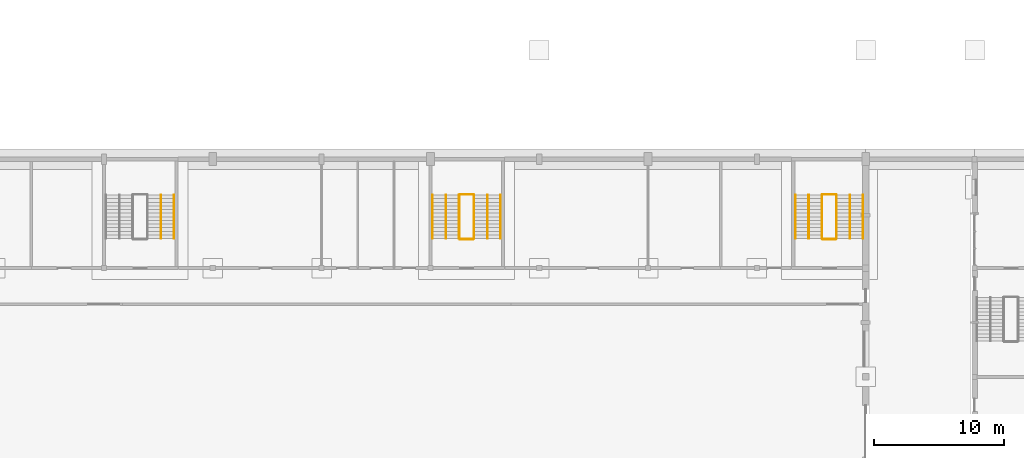
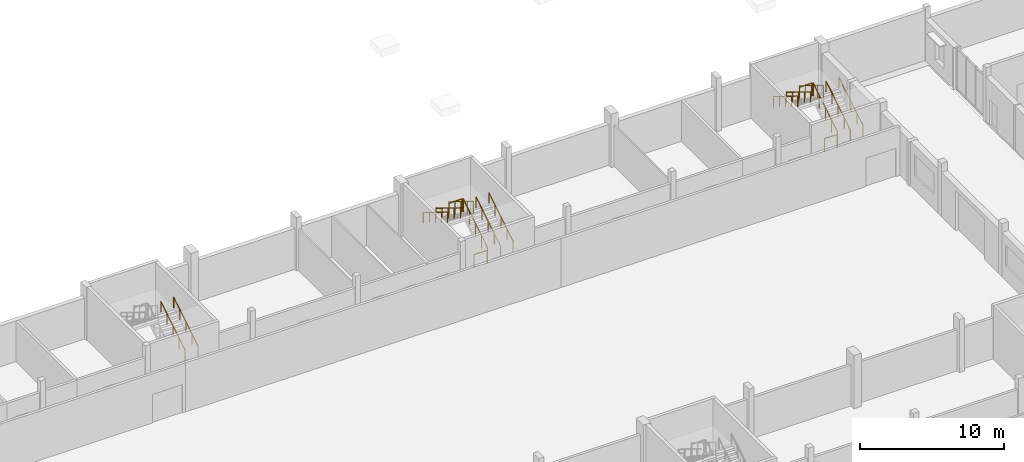
# One storey, part 34 of 36: 18 railings.
"""IFC4 building model written with IfcOpenShell, lengths in metres."""

from ifc_helpers import new_model, si_unit, direction, frame, origin, origin_2d, place, context, subcontext, project, spatial, circle, extrude, material, type_object, element, save


model = new_model("IFC4")

# Units and contexts
model_context = context("Model", 3, precision=1e-05, world=origin(), true_north=direction((0.0, 1.0)))
body_context = subcontext(model_context, "Body", "Model", "MODEL_VIEW")
ifc_project = project(units=[si_unit("LENGTHUNIT", "METRE"), si_unit("AREAUNIT", "SQUARE_METRE"), si_unit("VOLUMEUNIT", "CUBIC_METRE"), si_unit("PLANEANGLEUNIT", "RADIAN"), si_unit("MASSUNIT", "GRAM", prefix="KILO")], contexts=[model_context])

# Site, building, storey
site_placement = place(None, origin())
site = spatial("IfcSite", under=ifc_project, at=site_placement, CompositionType="ELEMENT")
building_placement = place(site_placement, origin())
building = spatial("IfcBuilding", under=site, at=building_placement, Name="Fescue Hill Polytechnic", CompositionType="ELEMENT")
storey_placement = place(building_placement, origin())
storey = spatial("IfcBuildingStorey", under=building, at=storey_placement, Name="L00", CompositionType="ELEMENT", Elevation=0.0)

# Railings
ifc_material = material(Name="Steel 350W (350 MPa)", Category="steel")
railing_type_1 = type_object("IfcRailingType", Name="Stair guard steel 1100", PredefinedType="GUARDRAIL", material=ifc_material)
railing_1_placement = place(storey_placement, frame((87.375, 44.27490234375, 0.173095703125)))
element("IfcRailing", 1, at=railing_1_placement, inside=storey, type_object=railing_type_1, Name="L00 ST-V1-8 stair guard 1", PredefinedType="GUARDRAIL", context=body_context, shape_type="SweptSolid", body=[
    extrude(circle(Radius=0.02392578125, at=origin_2d()), frame((0.0, 0.0, 1.076171875), z_axis=(0.0, 0.850623216509, 0.525775754039), x_axis=(-1.0, 0.0, 0.0)), (0.0, 0.0, 1.0), 3.9501953125),
    extrude(circle(Radius=0.02099609375, at=origin_2d()), origin(), (0.0, 0.0, 1.0), 1.052001953125),
    extrude(circle(Radius=0.02099609375, at=origin_2d()), frame((0.0, 0.840087890625, 0.519287109375)), (0.0, 0.0, 1.0), 1.052001953125),
    extrude(circle(Radius=0.02099609375, at=origin_2d()), frame((0.0, 1.68017578125, 1.03857421875)), (0.0, 0.0, 1.0), 1.052001953125),
    extrude(circle(Radius=0.02099609375, at=origin_2d()), frame((0.0, 2.52001953125, 1.5576171875)), (0.0, 0.0, 1.0), 1.052001953125),
    extrude(circle(Radius=0.02099609375, at=origin_2d()), frame((0.0, 3.360107421875, 2.076904296875)), (0.0, 0.0, 1.0), 1.052001953125),
])
railing_2_placement = place(storey_placement, frame((87.324951171875, 47.68505859375, 2.25)))
element("IfcRailing", 2, at=railing_2_placement, inside=storey, type_object=railing_type_1, Name="L00 ST-V1-8 stair guard 2", PredefinedType="GUARDRAIL", context=body_context, shape_type="SweptSolid", body=[
    extrude(circle(Radius=0.02392578125, at=origin_2d()), frame((0.0, 0.0, 1.076171875), z_axis=(-1.0, 0.0, 0.0), x_axis=(0.0, -1.0, 0.0)), (0.0, 0.0, 1.0), 1.050048828125),
    extrude(circle(Radius=0.02099609375, at=origin_2d()), origin(), (0.0, 0.0, 1.0), 1.052001953125),
    extrude(circle(Radius=0.02099609375, at=origin_2d()), frame((-1.050048828125, 0.0, 0.0)), (0.0, 0.0, 1.0), 1.052001953125),
])
railing_3_placement = place(storey_placement, frame((86.22509765625, 47.635009765625, 2.423095703125)))
element("IfcRailing", 3, at=railing_3_placement, inside=storey, type_object=railing_type_1, Name="L00 ST-V1-8 stair guard 3", PredefinedType="GUARDRAIL", context=body_context, shape_type="SweptSolid", body=[
    extrude(circle(Radius=0.02392578125, at=origin_2d()), frame((0.0, 0.0, 1.076171875), z_axis=(0.0, -0.850623216509, 0.525775754039), x_axis=(1.0, 0.0, 0.0)), (0.0, 0.0, 1.0), 3.9501953125),
    extrude(circle(Radius=0.02099609375, at=origin_2d()), origin(), (0.0, 0.0, 1.0), 1.052001953125),
    extrude(circle(Radius=0.02099609375, at=origin_2d()), frame((0.0, -0.840087890625, 0.519287109375)), (0.0, 0.0, 1.0), 1.052001953125),
    extrude(circle(Radius=0.02099609375, at=origin_2d()), frame((0.0, -1.68017578125, 1.03857421875)), (0.0, 0.0, 1.0), 1.052001953125),
    extrude(circle(Radius=0.02099609375, at=origin_2d()), frame((0.0, -2.52001953125, 1.5576171875)), (0.0, 0.0, 1.0), 1.052001953125),
    extrude(circle(Radius=0.02099609375, at=origin_2d()), frame((0.0, -3.360107421875, 2.076904296875)), (0.0, 0.0, 1.0), 1.052001953125),
])
railing_4_placement = place(storey_placement, frame((87.324951171875, 44.22509765625, 0.0)))
element("IfcRailing", 4, at=railing_4_placement, inside=storey, type_object=railing_type_1, Name="L00 ST-V1-8 stair guard 4", PredefinedType="GUARDRAIL", context=body_context, shape_type="SweptSolid", body=[
    extrude(circle(Radius=0.02392578125, at=origin_2d()), frame((0.0, 0.0, 1.076171875), z_axis=(-1.0, 0.0, 0.0), x_axis=(0.0, -1.0, 0.0)), (0.0, 0.0, 1.0), 1.050048828125),
    extrude(circle(Radius=0.02099609375, at=origin_2d()), origin(), (0.0, 0.0, 1.0), 1.052001953125),
    extrude(circle(Radius=0.02099609375, at=origin_2d()), frame((-1.050048828125, 0.0, 0.0)), (0.0, 0.0, 1.0), 1.052001953125),
])
railing_5_placement = place(storey_placement, frame((115.35009765625, 44.27490234375, 0.173095703125)))
element("IfcRailing", 5, at=railing_5_placement, inside=storey, type_object=railing_type_1, Name="L00 ST-V1-9 stair guard 1", PredefinedType="GUARDRAIL", context=body_context, shape_type="SweptSolid", body=[
    extrude(circle(Radius=0.02392578125, at=origin_2d()), frame((0.0, 0.0, 1.076171875), z_axis=(0.0, 0.850623216509, 0.525775754039), x_axis=(-1.0, 0.0, 0.0)), (0.0, 0.0, 1.0), 3.9501953125),
    extrude(circle(Radius=0.02099609375, at=origin_2d()), origin(), (0.0, 0.0, 1.0), 1.052001953125),
    extrude(circle(Radius=0.02099609375, at=origin_2d()), frame((0.0, 0.840087890625, 0.519287109375)), (0.0, 0.0, 1.0), 1.052001953125),
    extrude(circle(Radius=0.02099609375, at=origin_2d()), frame((0.0, 1.68017578125, 1.03857421875)), (0.0, 0.0, 1.0), 1.052001953125),
    extrude(circle(Radius=0.02099609375, at=origin_2d()), frame((0.0, 2.52001953125, 1.5576171875)), (0.0, 0.0, 1.0), 1.052001953125),
    extrude(circle(Radius=0.02099609375, at=origin_2d()), frame((0.0, 3.360107421875, 2.076904296875)), (0.0, 0.0, 1.0), 1.052001953125),
])
railing_6_placement = place(storey_placement, frame((115.300048828125, 47.68505859375, 2.25)))
element("IfcRailing", 6, at=railing_6_placement, inside=storey, type_object=railing_type_1, Name="L00 ST-V1-9 stair guard 2", PredefinedType="GUARDRAIL", context=body_context, shape_type="SweptSolid", body=[
    extrude(circle(Radius=0.02392578125, at=origin_2d()), frame((0.0, 0.0, 1.076171875), z_axis=(-1.0, 0.0, 0.0), x_axis=(0.0, -1.0, 0.0)), (0.0, 0.0, 1.0), 1.025146484375),
    extrude(circle(Radius=0.02099609375, at=origin_2d()), origin(), (0.0, 0.0, 1.0), 1.052001953125),
    extrude(circle(Radius=0.02099609375, at=origin_2d()), frame((-1.025146484375, 0.0, 0.0)), (0.0, 0.0, 1.0), 1.052001953125),
])
railing_7_placement = place(storey_placement, frame((114.22509765625, 47.635009765625, 2.423095703125)))
element("IfcRailing", 7, at=railing_7_placement, inside=storey, type_object=railing_type_1, Name="L00 ST-V1-9 stair guard 3", PredefinedType="GUARDRAIL", context=body_context, shape_type="SweptSolid", body=[
    extrude(circle(Radius=0.02392578125, at=origin_2d()), frame((0.0, 0.0, 1.076171875), z_axis=(0.0, -0.850623216509, 0.525775754039), x_axis=(1.0, 0.0, 0.0)), (0.0, 0.0, 1.0), 3.9501953125),
    extrude(circle(Radius=0.02099609375, at=origin_2d()), origin(), (0.0, 0.0, 1.0), 1.052001953125),
    extrude(circle(Radius=0.02099609375, at=origin_2d()), frame((0.0, -0.840087890625, 0.519287109375)), (0.0, 0.0, 1.0), 1.052001953125),
    extrude(circle(Radius=0.02099609375, at=origin_2d()), frame((0.0, -1.68017578125, 1.03857421875)), (0.0, 0.0, 1.0), 1.052001953125),
    extrude(circle(Radius=0.02099609375, at=origin_2d()), frame((0.0, -2.52001953125, 1.5576171875)), (0.0, 0.0, 1.0), 1.052001953125),
    extrude(circle(Radius=0.02099609375, at=origin_2d()), frame((0.0, -3.360107421875, 2.076904296875)), (0.0, 0.0, 1.0), 1.052001953125),
])
railing_8_placement = place(storey_placement, frame((115.300048828125, 44.22509765625, 0.0)))
element("IfcRailing", 8, at=railing_8_placement, inside=storey, type_object=railing_type_1, Name="L00 ST-V1-9 stair guard 4", PredefinedType="GUARDRAIL", context=body_context, shape_type="SweptSolid", body=[
    extrude(circle(Radius=0.02392578125, at=origin_2d()), frame((0.0, 0.0, 1.076171875), z_axis=(-1.0, 0.0, 0.0), x_axis=(0.0, -1.0, 0.0)), (0.0, 0.0, 1.0), 1.025146484375),
    extrude(circle(Radius=0.02099609375, at=origin_2d()), origin(), (0.0, 0.0, 1.0), 1.052001953125),
    extrude(circle(Radius=0.02099609375, at=origin_2d()), frame((-1.025146484375, 0.0, 0.0)), (0.0, 0.0, 1.0), 1.052001953125),
])
railing_type_2 = type_object("IfcRailingType", Name="Stair handrail steel 900", PredefinedType="HANDRAIL", material=ifc_material)
for number, where, name in (
    (9, (64.22509765625, 44.27490234375, 0.173095703125), "L00 ST-V1-7 stair handrail 1"),
    (10, (63.199951171875, 44.27490234375, 0.173095703125), "L00 ST-V1-7 stair handrail 3"),
    (11, (89.425048828125, 44.27490234375, 0.173095703125), "L00 ST-V1-8 stair handrail 1"),
):
    element("IfcRailing", number, at=place(storey_placement, frame(where)), inside=storey, type_object=railing_type_2, Name=name, PredefinedType="HANDRAIL", context=body_context, shape_type="SweptSolid", body=[
        extrude(circle(Radius=0.02392578125, at=origin_2d()), frame((0.0, 0.0, 0.8759765625), z_axis=(0.0, 0.850623216509, 0.525775754039), x_axis=(-1.0, 0.0, 0.0)), (0.0, 0.0, 1.0), 3.9501953125),
        extrude(circle(Radius=0.02099609375, at=origin_2d()), origin(), (0.0, 0.0, 1.0), 0.851806640625),
        extrude(circle(Radius=0.02099609375, at=origin_2d()), frame((0.0, 0.840087890625, 0.519287109375)), (0.0, 0.0, 1.0), 0.851806640625),
        extrude(circle(Radius=0.02099609375, at=origin_2d()), frame((0.0, 1.68017578125, 1.03857421875)), (0.0, 0.0, 1.0), 0.851806640625),
        extrude(circle(Radius=0.02099609375, at=origin_2d()), frame((0.0, 2.52001953125, 1.5576171875)), (0.0, 0.0, 1.0), 0.851806640625),
        extrude(circle(Radius=0.02099609375, at=origin_2d()), frame((0.0, 3.360107421875, 2.076904296875)), (0.0, 0.0, 1.0), 0.851806640625),
    ])
railing_9_placement = place(storey_placement, frame((84.175048828125, 47.635009765625, 2.423095703125)))
element("IfcRailing", 12, at=railing_9_placement, inside=storey, type_object=railing_type_2, Name="L00 ST-V1-8 stair handrail 2", PredefinedType="HANDRAIL", context=body_context, shape_type="SweptSolid", body=[
    extrude(circle(Radius=0.02392578125, at=origin_2d()), frame((0.0, 0.0, 0.8759765625), z_axis=(0.0, -0.850623216509, 0.525775754039), x_axis=(1.0, 0.0, 0.0)), (0.0, 0.0, 1.0), 3.9501953125),
    extrude(circle(Radius=0.02099609375, at=origin_2d()), origin(), (0.0, 0.0, 1.0), 0.851806640625),
    extrude(circle(Radius=0.02099609375, at=origin_2d()), frame((0.0, -0.840087890625, 0.519287109375)), (0.0, 0.0, 1.0), 0.851806640625),
    extrude(circle(Radius=0.02099609375, at=origin_2d()), frame((0.0, -1.68017578125, 1.03857421875)), (0.0, 0.0, 1.0), 0.851806640625),
    extrude(circle(Radius=0.02099609375, at=origin_2d()), frame((0.0, -2.52001953125, 1.5576171875)), (0.0, 0.0, 1.0), 0.851806640625),
    extrude(circle(Radius=0.02099609375, at=origin_2d()), frame((0.0, -3.360107421875, 2.076904296875)), (0.0, 0.0, 1.0), 0.851806640625),
])
railing_10_placement = place(storey_placement, frame((88.39990234375, 44.27490234375, 0.173095703125)))
element("IfcRailing", 13, at=railing_10_placement, inside=storey, type_object=railing_type_2, Name="L00 ST-V1-8 stair handrail 3", PredefinedType="HANDRAIL", context=body_context, shape_type="SweptSolid", body=[
    extrude(circle(Radius=0.02392578125, at=origin_2d()), frame((0.0, 0.0, 0.8759765625), z_axis=(0.0, 0.850623216509, 0.525775754039), x_axis=(-1.0, 0.0, 0.0)), (0.0, 0.0, 1.0), 3.9501953125),
    extrude(circle(Radius=0.02099609375, at=origin_2d()), origin(), (0.0, 0.0, 1.0), 0.851806640625),
    extrude(circle(Radius=0.02099609375, at=origin_2d()), frame((0.0, 0.840087890625, 0.519287109375)), (0.0, 0.0, 1.0), 0.851806640625),
    extrude(circle(Radius=0.02099609375, at=origin_2d()), frame((0.0, 1.68017578125, 1.03857421875)), (0.0, 0.0, 1.0), 0.851806640625),
    extrude(circle(Radius=0.02099609375, at=origin_2d()), frame((0.0, 2.52001953125, 1.5576171875)), (0.0, 0.0, 1.0), 0.851806640625),
    extrude(circle(Radius=0.02099609375, at=origin_2d()), frame((0.0, 3.360107421875, 2.076904296875)), (0.0, 0.0, 1.0), 0.851806640625),
])
railing_11_placement = place(storey_placement, frame((85.199951171875, 47.635009765625, 2.423095703125)))
element("IfcRailing", 14, at=railing_11_placement, inside=storey, type_object=railing_type_2, Name="L00 ST-V1-8 stair handrail 4", PredefinedType="HANDRAIL", context=body_context, shape_type="SweptSolid", body=[
    extrude(circle(Radius=0.02392578125, at=origin_2d()), frame((0.0, 0.0, 0.8759765625), z_axis=(0.0, -0.850623216509, 0.525775754039), x_axis=(1.0, 0.0, 0.0)), (0.0, 0.0, 1.0), 3.9501953125),
    extrude(circle(Radius=0.02099609375, at=origin_2d()), origin(), (0.0, 0.0, 1.0), 0.851806640625),
    extrude(circle(Radius=0.02099609375, at=origin_2d()), frame((0.0, -0.840087890625, 0.519287109375)), (0.0, 0.0, 1.0), 0.851806640625),
    extrude(circle(Radius=0.02099609375, at=origin_2d()), frame((0.0, -1.68017578125, 1.03857421875)), (0.0, 0.0, 1.0), 0.851806640625),
    extrude(circle(Radius=0.02099609375, at=origin_2d()), frame((0.0, -2.52001953125, 1.5576171875)), (0.0, 0.0, 1.0), 0.851806640625),
    extrude(circle(Radius=0.02099609375, at=origin_2d()), frame((0.0, -3.360107421875, 2.076904296875)), (0.0, 0.0, 1.0), 0.851806640625),
])
railing_12_placement = place(storey_placement, frame((117.39990234375, 44.27490234375, 0.173095703125)))
element("IfcRailing", 15, at=railing_12_placement, inside=storey, type_object=railing_type_2, Name="L00 ST-V1-9 stair handrail 1", PredefinedType="HANDRAIL", context=body_context, shape_type="SweptSolid", body=[
    extrude(circle(Radius=0.02392578125, at=origin_2d()), frame((0.0, 0.0, 0.8759765625), z_axis=(0.0, 0.850623216509, 0.525775754039), x_axis=(-1.0, 0.0, 0.0)), (0.0, 0.0, 1.0), 3.9501953125),
    extrude(circle(Radius=0.02099609375, at=origin_2d()), origin(), (0.0, 0.0, 1.0), 0.851806640625),
    extrude(circle(Radius=0.02099609375, at=origin_2d()), frame((0.0, 0.840087890625, 0.519287109375)), (0.0, 0.0, 1.0), 0.851806640625),
    extrude(circle(Radius=0.02099609375, at=origin_2d()), frame((0.0, 1.68017578125, 1.03857421875)), (0.0, 0.0, 1.0), 0.851806640625),
    extrude(circle(Radius=0.02099609375, at=origin_2d()), frame((0.0, 2.52001953125, 1.5576171875)), (0.0, 0.0, 1.0), 0.851806640625),
    extrude(circle(Radius=0.02099609375, at=origin_2d()), frame((0.0, 3.360107421875, 2.076904296875)), (0.0, 0.0, 1.0), 0.851806640625),
])
railing_13_placement = place(storey_placement, frame((112.175048828125, 47.635009765625, 2.423095703125)))
element("IfcRailing", 16, at=railing_13_placement, inside=storey, type_object=railing_type_2, Name="L00 ST-V1-9 stair handrail 2", PredefinedType="HANDRAIL", context=body_context, shape_type="SweptSolid", body=[
    extrude(circle(Radius=0.02392578125, at=origin_2d()), frame((0.0, 0.0, 0.8759765625), z_axis=(0.0, -0.850623216509, 0.525775754039), x_axis=(1.0, 0.0, 0.0)), (0.0, 0.0, 1.0), 3.9501953125),
    extrude(circle(Radius=0.02099609375, at=origin_2d()), origin(), (0.0, 0.0, 1.0), 0.851806640625),
    extrude(circle(Radius=0.02099609375, at=origin_2d()), frame((0.0, -0.840087890625, 0.519287109375)), (0.0, 0.0, 1.0), 0.851806640625),
    extrude(circle(Radius=0.02099609375, at=origin_2d()), frame((0.0, -1.68017578125, 1.03857421875)), (0.0, 0.0, 1.0), 0.851806640625),
    extrude(circle(Radius=0.02099609375, at=origin_2d()), frame((0.0, -2.52001953125, 1.5576171875)), (0.0, 0.0, 1.0), 0.851806640625),
    extrude(circle(Radius=0.02099609375, at=origin_2d()), frame((0.0, -3.360107421875, 2.076904296875)), (0.0, 0.0, 1.0), 0.851806640625),
])
railing_14_placement = place(storey_placement, frame((116.375, 44.27490234375, 0.173095703125)))
element("IfcRailing", 17, at=railing_14_placement, inside=storey, type_object=railing_type_2, Name="L00 ST-V1-9 stair handrail 3", PredefinedType="HANDRAIL", context=body_context, shape_type="SweptSolid", body=[
    extrude(circle(Radius=0.02392578125, at=origin_2d()), frame((0.0, 0.0, 0.8759765625), z_axis=(0.0, 0.850623216509, 0.525775754039), x_axis=(-1.0, 0.0, 0.0)), (0.0, 0.0, 1.0), 3.9501953125),
    extrude(circle(Radius=0.02099609375, at=origin_2d()), origin(), (0.0, 0.0, 1.0), 0.851806640625),
    extrude(circle(Radius=0.02099609375, at=origin_2d()), frame((0.0, 0.840087890625, 0.519287109375)), (0.0, 0.0, 1.0), 0.851806640625),
    extrude(circle(Radius=0.02099609375, at=origin_2d()), frame((0.0, 1.68017578125, 1.03857421875)), (0.0, 0.0, 1.0), 0.851806640625),
    extrude(circle(Radius=0.02099609375, at=origin_2d()), frame((0.0, 2.52001953125, 1.5576171875)), (0.0, 0.0, 1.0), 0.851806640625),
    extrude(circle(Radius=0.02099609375, at=origin_2d()), frame((0.0, 3.360107421875, 2.076904296875)), (0.0, 0.0, 1.0), 0.851806640625),
])
railing_15_placement = place(storey_placement, frame((113.199951171875, 47.635009765625, 2.423095703125)))
element("IfcRailing", 18, at=railing_15_placement, inside=storey, type_object=railing_type_2, Name="L00 ST-V1-9 stair handrail 4", PredefinedType="HANDRAIL", context=body_context, shape_type="SweptSolid", body=[
    extrude(circle(Radius=0.02392578125, at=origin_2d()), frame((0.0, 0.0, 0.8759765625), z_axis=(0.0, -0.850623216509, 0.525775754039), x_axis=(1.0, 0.0, 0.0)), (0.0, 0.0, 1.0), 3.9501953125),
    extrude(circle(Radius=0.02099609375, at=origin_2d()), origin(), (0.0, 0.0, 1.0), 0.851806640625),
    extrude(circle(Radius=0.02099609375, at=origin_2d()), frame((0.0, -0.840087890625, 0.519287109375)), (0.0, 0.0, 1.0), 0.851806640625),
    extrude(circle(Radius=0.02099609375, at=origin_2d()), frame((0.0, -1.68017578125, 1.03857421875)), (0.0, 0.0, 1.0), 0.851806640625),
    extrude(circle(Radius=0.02099609375, at=origin_2d()), frame((0.0, -2.52001953125, 1.5576171875)), (0.0, 0.0, 1.0), 0.851806640625),
    extrude(circle(Radius=0.02099609375, at=origin_2d()), frame((0.0, -3.360107421875, 2.076904296875)), (0.0, 0.0, 1.0), 0.851806640625),
])

save(model, "model.ifc")
